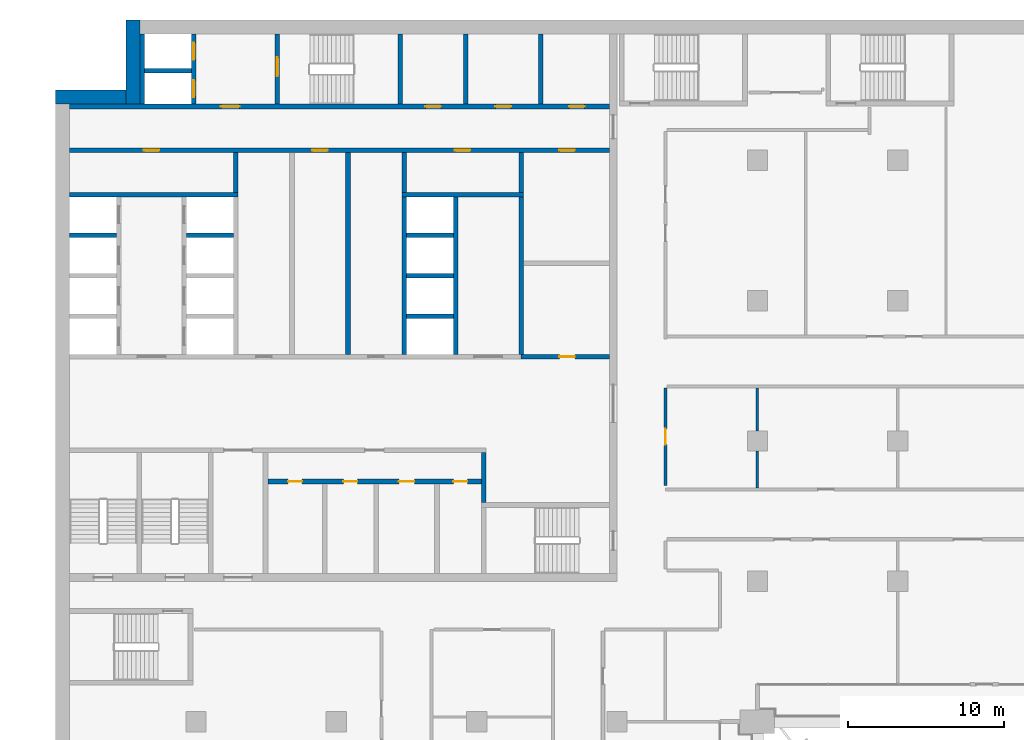
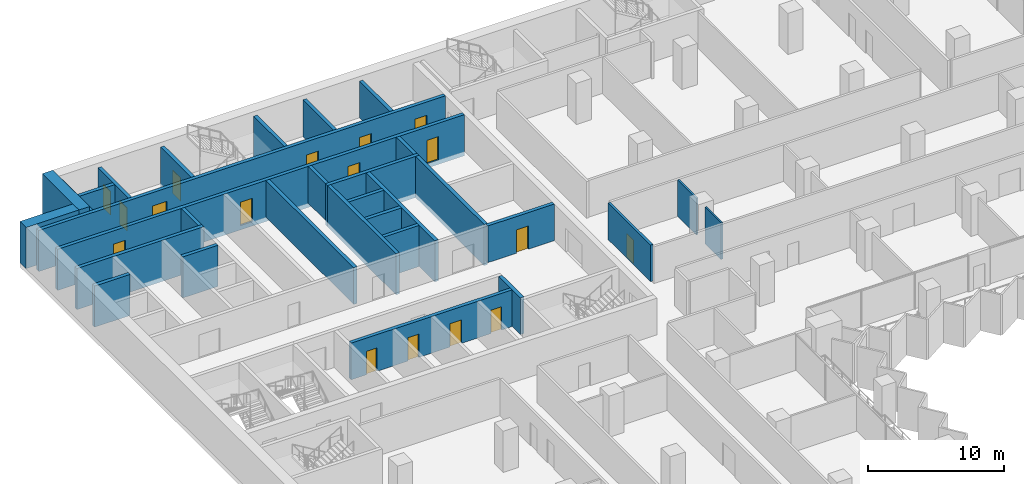
# One storey, part 13 of 23: 31 walls, 17 doors, 17 openings.
"""IFC4 building model written with IfcOpenShell, lengths in metres."""

from ifc_helpers import new_model, si_unit, direction, frame, frame_2d, origin, place, context, subcontext, project, spatial, rectangle, extrude, material, layer, layer_set, type_object, element, fill, save


model = new_model("IFC4")

# Units and contexts
model_context = context("Model", 3, precision=1e-05, world=origin(), true_north=direction((0.0, 1.0)))
body_context = subcontext(model_context, "Body", "Model", "MODEL_VIEW")
ifc_project = project(units=[si_unit("LENGTHUNIT", "METRE"), si_unit("AREAUNIT", "SQUARE_METRE"), si_unit("VOLUMEUNIT", "CUBIC_METRE"), si_unit("PLANEANGLEUNIT", "RADIAN"), si_unit("MASSUNIT", "GRAM", prefix="KILO")], contexts=[model_context])

# Site, building, storey
site_placement = place(None, origin())
site = spatial("IfcSite", under=ifc_project, at=site_placement, CompositionType="ELEMENT")
building_placement = place(site_placement, origin())
building = spatial("IfcBuilding", under=site, at=building_placement, Name="Hunhe Ridgeline Campus", CompositionType="ELEMENT")
storey_placement = place(building_placement, frame((0.0, 0.0, 95.89990234375)))
storey = spatial("IfcBuildingStorey", under=building, at=storey_placement, Name="L23", CompositionType="ELEMENT", Elevation=95.89990234375)

# Wall, openings, doors
ifc_material_1 = material(Name="Masonry concrete blockwork", Category="masonry")
ifc_layer_1 = layer(ifc_material_1, 0.300048828125)
ifc_layer_set_1 = layer_set([ifc_layer_1], Name="Core room partition 300 concrete block")
wall_type_1 = type_object("IfcWallType", Name="Core room partition 300 concrete block", PredefinedType="PARTITIONING", material=ifc_layer_set_1)
wall_1_placement = place(storey_placement, frame((13.60009765625, 69.39990234375, 0.0), z_axis=(0.0, 0.0, 1.0), x_axis=(1.0, 0.0, 0.0)))
wall_1 = element("IfcWall", 1, at=wall_1_placement, inside=storey, type_object=wall_type_1, Name="L23 core partition 9", PredefinedType="PARTITIONING", context=body_context, shape_type="SweptSolid", body=[
    extrude(rectangle(XDim=13.699951171875, YDim=0.300048828125, at=frame_2d((6.85009765625, 0.0))), origin(), (0.0, 0.0, 1.0), 3.300048828125),
])
opening_1_placement = place(wall_1_placement, frame((1.300048828125, 0.0, 0.0)))
opening_1 = element("IfcOpeningElement", 2, at=opening_1_placement, cuts=wall_1, Name="Opening CD8", PredefinedType="OPENING", context=body_context, shape_type="SweptSolid", body=[
    extrude(rectangle(XDim=0.89990234375, YDim=2.10009765625, at=frame_2d((0.449951171875, 1.050048828125))), frame((0.0, 0.14990234375, 0.0), z_axis=(0.0, -1.0, 0.0), x_axis=(1.0, 0.0, 0.0)), (0.0, 0.0, 1.0), 0.300048828125),
])
opening_2_placement = place(wall_1_placement, frame((4.85009765625, 0.0, 0.0)))
opening_2 = element("IfcOpeningElement", 3, at=opening_2_placement, cuts=wall_1, Name="Opening CD9", PredefinedType="OPENING", context=body_context, shape_type="SweptSolid", body=[
    extrude(rectangle(XDim=0.89990234375, YDim=2.10009765625, at=frame_2d((0.449951171875, 1.050048828125))), frame((0.0, 0.14990234375, 0.0), z_axis=(0.0, -1.0, 0.0), x_axis=(1.0, 0.0, 0.0)), (0.0, 0.0, 1.0), 0.300048828125),
])
opening_3_placement = place(wall_1_placement, frame((8.39990234375, 0.0, 0.0)))
opening_3 = element("IfcOpeningElement", 4, at=opening_3_placement, cuts=wall_1, Name="Opening CD10", PredefinedType="OPENING", context=body_context, shape_type="SweptSolid", body=[
    extrude(rectangle(XDim=1.0, YDim=2.10009765625, at=frame_2d((0.5, 1.050048828125))), frame((0.0, 0.14990234375, 0.0), z_axis=(0.0, -1.0, 0.0), x_axis=(1.0, 0.0, 0.0)), (0.0, 0.0, 1.0), 0.300048828125),
])
opening_4_placement = place(wall_1_placement, frame((11.89990234375, 0.0, 0.0)))
opening_4 = element("IfcOpeningElement", 5, at=opening_4_placement, cuts=wall_1, Name="Opening CD11", PredefinedType="OPENING", context=body_context, shape_type="SweptSolid", body=[
    extrude(rectangle(XDim=0.89990234375, YDim=2.10009765625, at=frame_2d((0.449951171875, 1.050048828125))), frame((0.0, 0.14990234375, 0.0), z_axis=(0.0, -1.0, 0.0), x_axis=(1.0, 0.0, 0.0)), (0.0, 0.0, 1.0), 0.300048828125),
])
ifc_material_2 = material(Name="Solid core timber door leaf", Category="wood")
door_type_1 = type_object("IfcDoorType", Name="Timber door 1000x2100", OperationType="SINGLE_SWING_LEFT", PredefinedType="DOOR", material=ifc_material_2)
door_1_placement = place(opening_3_placement, frame((1.0, 0.0, 0.0), z_axis=(0.0, 0.0, 1.0), x_axis=(-1.0, 0.0, 0.0)))
door_1 = element("IfcDoor", 6, at=door_1_placement, inside=storey, type_object=door_type_1, Name="L23 door WC3", OperationType="SINGLE_SWING_RIGHT", OverallHeight=2.10009765625, OverallWidth=1.0, PredefinedType="DOOR", context=body_context, shape_type="SweptSolid", body=[
    extrude(rectangle(XDim=1.0, YDim=2.10009765625, at=frame_2d((0.5, 1.050048828125))), frame((0.0, 0.02490234375, 0.0), z_axis=(0.0, -1.0, 0.0), x_axis=(1.0, 0.0, 0.0)), (0.0, 0.0, 1.0), 0.050048828125),
])
fill(opening_3, door_1)
door_type_2 = type_object("IfcDoorType", Name="Timber door 900x2100", OperationType="SINGLE_SWING_LEFT", PredefinedType="DOOR", material=ifc_material_2)
door_2_placement = place(opening_1_placement, frame((0.89990234375, 0.0, 0.0), z_axis=(0.0, 0.0, 1.0), x_axis=(-1.0, 0.0, 0.0)))
door_2 = element("IfcDoor", 7, at=door_2_placement, inside=storey, type_object=door_type_2, Name="L23 door WC1", OperationType="SINGLE_SWING_RIGHT", OverallHeight=2.10009765625, OverallWidth=0.89990234375, PredefinedType="DOOR", context=body_context, shape_type="SweptSolid", body=[
    extrude(rectangle(XDim=0.89990234375, YDim=2.10009765625, at=frame_2d((0.449951171875, 1.050048828125))), frame((0.0, 0.02490234375, 0.0), z_axis=(0.0, -1.0, 0.0), x_axis=(1.0, 0.0, 0.0)), (0.0, 0.0, 1.0), 0.050048828125),
])
fill(opening_1, door_2)
door_3_placement = place(opening_2_placement, frame((0.89990234375, 0.0, 0.0), z_axis=(0.0, 0.0, 1.0), x_axis=(-1.0, 0.0, 0.0)))
door_3 = element("IfcDoor", 8, at=door_3_placement, inside=storey, type_object=door_type_2, Name="L23 door WC2", OperationType="SINGLE_SWING_LEFT", OverallHeight=2.10009765625, OverallWidth=0.89990234375, PredefinedType="DOOR", context=body_context, shape_type="SweptSolid", body=[
    extrude(rectangle(XDim=0.89990234375, YDim=2.10009765625, at=frame_2d((0.449951171875, 1.050048828125))), frame((0.0, 0.02490234375, 0.0), z_axis=(0.0, -1.0, 0.0), x_axis=(1.0, 0.0, 0.0)), (0.0, 0.0, 1.0), 0.050048828125),
])
fill(opening_2, door_3)
door_4_placement = place(opening_4_placement, frame((0.89990234375, 0.0, 0.0), z_axis=(0.0, 0.0, 1.0), x_axis=(-1.0, 0.0, 0.0)))
door_4 = element("IfcDoor", 9, at=door_4_placement, inside=storey, type_object=door_type_2, Name="L23 door WC4", OperationType="SINGLE_SWING_LEFT", OverallHeight=2.10009765625, OverallWidth=0.89990234375, PredefinedType="DOOR", context=body_context, shape_type="SweptSolid", body=[
    extrude(rectangle(XDim=0.89990234375, YDim=2.10009765625, at=frame_2d((0.449951171875, 1.050048828125))), frame((0.0, 0.02490234375, 0.0), z_axis=(0.0, -1.0, 0.0), x_axis=(1.0, 0.0, 0.0)), (0.0, 0.0, 1.0), 0.050048828125),
])
fill(opening_4, door_4)

# Wall, opening, door
wall_2_placement = place(storey_placement, frame((29.85009765625, 77.39990234375, 0.0), z_axis=(0.0, 0.0, 1.0), x_axis=(1.0, 0.0, 0.0)))
wall_2 = element("IfcWall", 10, at=wall_2_placement, inside=storey, type_object=wall_type_1, Name="L23 core partition 13", PredefinedType="PARTITIONING", context=body_context, shape_type="SweptSolid", body=[
    extrude(rectangle(XDim=5.64990234375, YDim=0.300048828125, at=frame_2d((2.824951171875, 0.0))), origin(), (0.0, 0.0, 1.0), 3.300048828125),
])
opening_5_placement = place(wall_2_placement, frame((2.449951171875, 0.0, 0.0)))
opening_5 = element("IfcOpeningElement", 11, at=opening_5_placement, cuts=wall_2, Name="Opening CD32", PredefinedType="OPENING", context=body_context, shape_type="SweptSolid", body=[
    extrude(rectangle(XDim=1.0, YDim=2.10009765625, at=frame_2d((0.5, 1.050048828125))), frame((0.0, 0.14990234375, 0.0), z_axis=(0.0, -1.0, 0.0), x_axis=(1.0, 0.0, 0.0)), (0.0, 0.0, 1.0), 0.300048828125),
])
door_5_placement = place(opening_5_placement, origin())
door_5 = element("IfcDoor", 12, at=door_5_placement, inside=storey, type_object=door_type_1, Name="L23 door ES0", OperationType="SINGLE_SWING_LEFT", OverallHeight=2.10009765625, OverallWidth=1.0, PredefinedType="DOOR", context=body_context, shape_type="SweptSolid", body=[
    extrude(rectangle(XDim=1.0, YDim=2.10009765625, at=frame_2d((0.5, 1.050048828125))), frame((0.0, 0.02490234375, 0.0), z_axis=(0.0, -1.0, 0.0), x_axis=(1.0, 0.0, 0.0)), (0.0, 0.0, 1.0), 0.050048828125),
])
fill(opening_5, door_5)

# Walls
wall_3_placement = place(storey_placement, frame((11.550048828125, 87.949951171875, 0.0), z_axis=(0.0, 0.0, 1.0), x_axis=(0.0, 1.0, 0.0)))
element("IfcWall", 13, at=wall_3_placement, inside=storey, type_object=wall_type_1, Name="L23 core partition 41", PredefinedType="PARTITIONING", context=body_context, shape_type="SweptSolid", body=[
    extrude(rectangle(XDim=2.550048828125, YDim=0.300048828125, at=frame_2d((1.27490234375, 0.0))), origin(), (0.0, 0.0, 1.0), 3.300048828125),
])
wall_4_placement = place(storey_placement, frame((18.75, 77.550048828125, 0.0), z_axis=(0.0, 0.0, 1.0), x_axis=(0.0, 1.0, 0.0)))
element("IfcWall", 14, at=wall_4_placement, inside=storey, type_object=wall_type_1, Name="L23 core partition 46", PredefinedType="PARTITIONING", context=body_context, shape_type="SweptSolid", body=[
    extrude(rectangle(XDim=12.949951171875, YDim=0.300048828125, at=frame_2d((6.47509765625, 0.0))), origin(), (0.0, 0.0, 1.0), 3.300048828125),
])
wall_5_placement = place(storey_placement, frame((22.35009765625, 87.949951171875, 0.0), z_axis=(0.0, 0.0, 1.0), x_axis=(0.0, 1.0, 0.0)))
element("IfcWall", 15, at=wall_5_placement, inside=storey, type_object=wall_type_1, Name="L23 core partition 51", PredefinedType="PARTITIONING", context=body_context, shape_type="SweptSolid", body=[
    extrude(rectangle(XDim=2.550048828125, YDim=0.300048828125, at=frame_2d((1.27490234375, 0.0))), origin(), (0.0, 0.0, 1.0), 3.300048828125),
])
wall_6_placement = place(storey_placement, frame((26.300048828125, 93.60009765625, 0.0), z_axis=(0.0, 0.0, 1.0), x_axis=(0.0, 1.0, 0.0)))
element("IfcWall", 16, at=wall_6_placement, inside=storey, type_object=wall_type_1, Name="L23 core partition 55", PredefinedType="PARTITIONING", context=body_context, shape_type="SweptSolid", body=[
    extrude(rectangle(XDim=4.5, YDim=0.300048828125, at=frame_2d((2.25, 0.0))), origin(), (0.0, 0.0, 1.0), 3.300048828125),
])
wall_7_placement = place(storey_placement, frame((27.449951171875, 68.050048828125, 0.0), z_axis=(0.0, 0.0, 1.0), x_axis=(0.0, 1.0, 0.0)))
element("IfcWall", 17, at=wall_7_placement, inside=storey, type_object=wall_type_1, Name="L23 core partition 57", PredefinedType="PARTITIONING", context=body_context, shape_type="SweptSolid", body=[
    extrude(rectangle(XDim=3.199951171875, YDim=0.300048828125, at=frame_2d((1.60009765625, 0.0))), origin(), (0.0, 0.0, 1.0), 3.300048828125),
])
wall_8_placement = place(storey_placement, frame((29.85009765625, 87.949951171875, 0.0), z_axis=(0.0, 0.0, 1.0), x_axis=(0.0, 1.0, 0.0)))
element("IfcWall", 18, at=wall_8_placement, inside=storey, type_object=wall_type_1, Name="L23 core partition 59", PredefinedType="PARTITIONING", context=body_context, shape_type="SweptSolid", body=[
    extrude(rectangle(XDim=2.550048828125, YDim=0.300048828125, at=frame_2d((1.27490234375, 0.0))), origin(), (0.0, 0.0, 1.0), 3.300048828125),
])
wall_9_placement = place(storey_placement, frame((31.10009765625, 93.60009765625, 0.0), z_axis=(0.0, 0.0, 1.0), x_axis=(0.0, 1.0, 0.0)))
element("IfcWall", 19, at=wall_9_placement, inside=storey, type_object=wall_type_1, Name="L23 core partition 60", PredefinedType="PARTITIONING", context=body_context, shape_type="SweptSolid", body=[
    extrude(rectangle(XDim=4.5, YDim=0.300048828125, at=frame_2d((2.25, 0.0))), origin(), (0.0, 0.0, 1.0), 3.300048828125),
])

# Wall, opening, door
ifc_material_3 = material(Name="Gypsum board partition")
ifc_layer_2 = layer(ifc_material_3, 0.199951171875)
ifc_layer_set_2 = layer_set([ifc_layer_2], Name="Corridor partition 200 gypsum board on steel studs")
wall_type_2 = type_object("IfcWallType", Name="Corridor partition 200 gypsum board on steel studs", PredefinedType="PARTITIONING", material=ifc_layer_set_2)
wall_10_placement = place(storey_placement, frame((39.10009765625, 75.39990234375, 0.0), z_axis=(0.0, 0.0, 1.0), x_axis=(0.0, -1.0, 0.0)))
wall_10 = element("IfcWall", 20, at=wall_10_placement, inside=storey, type_object=wall_type_2, Name="F-L23-wall-053", PredefinedType="PARTITIONING", context=body_context, shape_type="SweptSolid", body=[
    extrude(rectangle(XDim=6.255615234375, YDim=0.199951171875, at=frame_2d((3.1279296875, 0.0))), origin(), (0.0, 0.0, 1.0), 3.300048828125),
])
opening_6_placement = place(wall_10_placement, frame((2.6279296875, 0.0, 0.0)))
opening_6 = element("IfcOpeningElement", 21, at=opening_6_placement, cuts=wall_10, Name="Opening RD1-028", PredefinedType="OPENING", context=body_context, shape_type="SweptSolid", body=[
    extrude(rectangle(XDim=1.0, YDim=2.10009765625, at=frame_2d((0.5, 1.050048828125))), frame((0.0, 0.10009765625, 0.0), z_axis=(0.0, -1.0, 0.0), x_axis=(1.0, 0.0, 0.0)), (0.0, 0.0, 1.0), 0.199951171875),
])
ifc_material_4 = material(Name="Timber door leaf", Category="wood")
door_type_3 = type_object("IfcDoorType", Name="Single fire door 1000x2100 timber FD60", OperationType="NOTDEFINED", PredefinedType="DOOR", material=ifc_material_4)
door_6_placement = place(opening_6_placement, origin())
door_6 = element("IfcDoor", 22, at=door_6_placement, inside=storey, type_object=door_type_3, Name="F-L23-door-028", OperationType="SINGLE_SWING_RIGHT", OverallHeight=2.10009765625, OverallWidth=1.0, PredefinedType="DOOR", context=body_context, shape_type="SweptSolid", body=[
    extrude(rectangle(XDim=1.0, YDim=2.10009765625, at=frame_2d((0.5, 1.050048828125))), frame((0.0, 0.02490234375, 0.0), z_axis=(0.0, -1.0, 0.0), x_axis=(1.0, 0.0, 0.0)), (0.0, 0.0, 1.0), 0.050048828125),
])
fill(opening_6, door_6)

# Wall, openings, doors
ifc_material_5 = material(Name="Concrete C80", Category="concrete")
ifc_layer_3 = layer(ifc_material_5, 0.300048828125)
ifc_layer_set_3 = layer_set([ifc_layer_3], Name="Lobby wall 300 reinforced concrete C80")
wall_type_3 = type_object("IfcWallType", Name="Lobby wall 300 reinforced concrete C80", PredefinedType="SOLIDWALL", material=ifc_layer_set_3)
wall_11_placement = place(storey_placement, frame((0.89990234375, 90.64990234375, -0.39990234375), z_axis=(0.0, 0.0, 1.0), x_axis=(1.0, 0.0, 0.0)))
wall_11 = element("IfcWall", 23, at=wall_11_placement, inside=storey, type_object=wall_type_3, Name="L23 core wall 26", PredefinedType="SOLIDWALL", context=body_context, shape_type="SweptSolid", body=[
    extrude(rectangle(XDim=34.60009765625, YDim=0.300048828125, at=frame_2d((17.300048828125, 0.0))), origin(), (0.0, 0.0, 1.0), 3.699951171875),
])
opening_7_placement = place(wall_11_placement, frame((4.75, 0.0, 0.39990234375)))
opening_7 = element("IfcOpeningElement", 24, at=opening_7_placement, cuts=wall_11, Name="Opening CD26", PredefinedType="OPENING", context=body_context, shape_type="SweptSolid", body=[
    extrude(rectangle(XDim=1.0, YDim=2.10009765625, at=frame_2d((0.5, 1.050048828125))), frame((0.0, 0.14990234375, 0.0), z_axis=(0.0, -1.0, 0.0), x_axis=(1.0, 0.0, 0.0)), (0.0, 0.0, 1.0), 0.300048828125),
])
opening_8_placement = place(wall_11_placement, frame((24.699951171875, 0.0, 0.39990234375)))
opening_8 = element("IfcOpeningElement", 25, at=opening_8_placement, cuts=wall_11, Name="Opening CD27", PredefinedType="OPENING", context=body_context, shape_type="SweptSolid", body=[
    extrude(rectangle(XDim=1.0, YDim=2.10009765625, at=frame_2d((0.5, 1.050048828125))), frame((0.0, 0.14990234375, 0.0), z_axis=(0.0, -1.0, 0.0), x_axis=(1.0, 0.0, 0.0)), (0.0, 0.0, 1.0), 0.300048828125),
])
opening_9_placement = place(wall_11_placement, frame((15.550048828125, 0.0, 0.39990234375)))
opening_9 = element("IfcOpeningElement", 26, at=opening_9_placement, cuts=wall_11, Name="Opening CD29", PredefinedType="OPENING", context=body_context, shape_type="SweptSolid", body=[
    extrude(rectangle(XDim=1.0, YDim=2.10009765625, at=frame_2d((0.5, 1.050048828125))), frame((0.0, 0.14990234375, 0.0), z_axis=(0.0, -1.0, 0.0), x_axis=(1.0, 0.0, 0.0)), (0.0, 0.0, 1.0), 0.300048828125),
])
opening_10_placement = place(wall_11_placement, frame((31.39990234375, 0.0, 0.39990234375)))
opening_10 = element("IfcOpeningElement", 27, at=opening_10_placement, cuts=wall_11, Name="Opening CD33", PredefinedType="OPENING", context=body_context, shape_type="SweptSolid", body=[
    extrude(rectangle(XDim=1.0, YDim=2.10009765625, at=frame_2d((0.5, 1.050048828125))), frame((0.0, 0.14990234375, 0.0), z_axis=(0.0, -1.0, 0.0), x_axis=(1.0, 0.0, 0.0)), (0.0, 0.0, 1.0), 0.300048828125),
])
door_7_placement = place(opening_7_placement, frame((1.0, 0.0, 0.0), z_axis=(0.0, 0.0, 1.0), x_axis=(-1.0, 0.0, 0.0)))
door_7 = element("IfcDoor", 28, at=door_7_placement, inside=storey, type_object=door_type_1, Name="L23 door NR-0", OperationType="SINGLE_SWING_RIGHT", OverallHeight=2.10009765625, OverallWidth=1.0, PredefinedType="DOOR", context=body_context, shape_type="SweptSolid", body=[
    extrude(rectangle(XDim=1.0, YDim=2.10009765625, at=frame_2d((0.5, 1.050048828125))), frame((0.0, 0.02490234375, 0.0), z_axis=(0.0, -1.0, 0.0), x_axis=(1.0, 0.0, 0.0)), (0.0, 0.0, 1.0), 0.050048828125),
])
fill(opening_7, door_7)
door_8_placement = place(opening_8_placement, frame((1.0, 0.0, 0.0), z_axis=(0.0, 0.0, 1.0), x_axis=(-1.0, 0.0, 0.0)))
door_8 = element("IfcDoor", 29, at=door_8_placement, inside=storey, type_object=door_type_1, Name="L23 door NR-1", OperationType="SINGLE_SWING_LEFT", OverallHeight=2.10009765625, OverallWidth=1.0, PredefinedType="DOOR", context=body_context, shape_type="SweptSolid", body=[
    extrude(rectangle(XDim=1.0, YDim=2.10009765625, at=frame_2d((0.5, 1.050048828125))), frame((0.0, 0.02490234375, 0.0), z_axis=(0.0, -1.0, 0.0), x_axis=(1.0, 0.0, 0.0)), (0.0, 0.0, 1.0), 0.050048828125),
])
fill(opening_8, door_8)
door_9_placement = place(opening_9_placement, frame((1.0, 0.0, 0.0), z_axis=(0.0, 0.0, 1.0), x_axis=(-1.0, 0.0, 0.0)))
door_9 = element("IfcDoor", 30, at=door_9_placement, inside=storey, type_object=door_type_1, Name="L23 door VD-HR1", OperationType="SINGLE_SWING_LEFT", OverallHeight=2.10009765625, OverallWidth=1.0, PredefinedType="DOOR", context=body_context, shape_type="SweptSolid", body=[
    extrude(rectangle(XDim=1.0, YDim=2.10009765625, at=frame_2d((0.5, 1.050048828125))), frame((0.0, 0.02490234375, 0.0), z_axis=(0.0, -1.0, 0.0), x_axis=(1.0, 0.0, 0.0)), (0.0, 0.0, 1.0), 0.050048828125),
])
fill(opening_9, door_9)
door_10_placement = place(opening_10_placement, frame((1.0, 0.0, 0.0), z_axis=(0.0, 0.0, 1.0), x_axis=(-1.0, 0.0, 0.0)))
door_10 = element("IfcDoor", 31, at=door_10_placement, inside=storey, type_object=door_type_1, Name="L23 door ES1", OperationType="SINGLE_SWING_LEFT", OverallHeight=2.10009765625, OverallWidth=1.0, PredefinedType="DOOR", context=body_context, shape_type="SweptSolid", body=[
    extrude(rectangle(XDim=1.0, YDim=2.10009765625, at=frame_2d((0.5, 1.050048828125))), frame((0.0, 0.02490234375, 0.0), z_axis=(0.0, -1.0, 0.0), x_axis=(1.0, 0.0, 0.0)), (0.0, 0.0, 1.0), 0.050048828125),
])
fill(opening_10, door_10)

# Walls
wall_12_placement = place(storey_placement, frame((29.85009765625, 77.550048828125, -0.39990234375), z_axis=(0.0, 0.0, 1.0), x_axis=(0.0, 1.0, 0.0)))
element("IfcWall", 32, at=wall_12_placement, inside=storey, type_object=wall_type_3, Name="L23 core wall 58", PredefinedType="SOLIDWALL", context=body_context, shape_type="SweptSolid", body=[
    extrude(rectangle(XDim=10.099853515625, YDim=0.300048828125, at=frame_2d((5.0498046875, 0.0))), origin(), (0.0, 0.0, 1.0), 3.699951171875),
])
ifc_layer_4 = layer(ifc_material_3, 0.14990234375)
ifc_layer_set_4 = layer_set([ifc_layer_4], Name="Room partition 150 gypsum board on steel studs")
wall_type_4 = type_object("IfcWallType", Name="Room partition 150 gypsum board on steel studs", PredefinedType="PARTITIONING", material=ifc_layer_set_4)
wall_13_placement = place(storey_placement, frame((45.0, 71.35009765625, 0.0), z_axis=(0.0, 0.0, 1.0), x_axis=(0.0, -1.0, 0.0)))
element("IfcWall", 33, at=wall_13_placement, inside=storey, type_object=wall_type_4, Name="F-L23-wall-056", PredefinedType="PARTITIONING", context=body_context, shape_type="SweptSolid", body=[
    extrude(rectangle(XDim=2.35009765625, YDim=0.14990234375, at=frame_2d((1.175048828125, 0.0))), origin(), (0.0, 0.0, 1.0), 3.300048828125),
])
wall_14_placement = place(storey_placement, frame((45.0, 75.39990234375, 0.0), z_axis=(0.0, 0.0, 1.0), x_axis=(0.0, -1.0, 0.0)))
element("IfcWall", 34, at=wall_14_placement, inside=storey, type_object=wall_type_4, Name="F-L23-wall-057", PredefinedType="PARTITIONING", context=body_context, shape_type="SweptSolid", body=[
    extrude(rectangle(XDim=2.75, YDim=0.14990234375, at=frame_2d((1.375, 0.0))), origin(), (0.0, 0.0, 1.0), 3.300048828125),
])
ifc_layer_5 = layer(ifc_material_5, 0.300048828125)
ifc_layer_set_5 = layer_set([ifc_layer_5], Name="Shaft wall 300 reinforced concrete C80")
wall_type_5 = type_object("IfcWallType", Name="Shaft wall 300 reinforced concrete C80", PredefinedType="SOLIDWALL", material=ifc_layer_set_5)
for number, where, z_axis, x_axis, name in (
    (35, (22.5, 80.0, -0.39990234375), (0.0, 0.0, 1.0), (1.0, 0.0, 0.0), "L23 core wall 16"),
    (36, (22.5, 82.60009765625, -0.39990234375), (0.0, 0.0, 1.0), (1.0, 0.0, 0.0), "L23 core wall 19"),
    (37, (0.89990234375, 85.199951171875, -0.39990234375), (0.0, 0.0, 1.0), (1.0, 0.0, 0.0), "L23 core wall 21"),
    (38, (8.39990234375, 85.199951171875, -0.39990234375), (0.0, 0.0, 1.0), (1.0, 0.0, 0.0), "L23 core wall 22"),
    (39, (22.5, 85.199951171875, -0.39990234375), (0.0, 0.0, 1.0), (1.0, 0.0, 0.0), "L23 core wall 23"),
):
    element("IfcWall", number, at=place(storey_placement, frame(where, z_axis=z_axis, x_axis=x_axis)), inside=storey, type_object=wall_type_5, Name=name, PredefinedType="SOLIDWALL", context=body_context, shape_type="SweptSolid", body=[
        extrude(rectangle(XDim=3.0, YDim=0.300048828125, at=frame_2d((1.5, 0.0))), origin(), (0.0, 0.0, 1.0), 3.699951171875),
    ])
wall_15_placement = place(storey_placement, frame((0.89990234375, 87.800048828125, -0.39990234375), z_axis=(0.0, 0.0, 1.0), x_axis=(1.0, 0.0, 0.0)))
element("IfcWall", 40, at=wall_15_placement, inside=storey, type_object=wall_type_5, Name="L23 core wall 24", PredefinedType="SOLIDWALL", context=body_context, shape_type="SweptSolid", body=[
    extrude(rectangle(XDim=10.800048828125, YDim=0.300048828125, at=frame_2d((5.39990234375, 0.0))), origin(), (0.0, 0.0, 1.0), 3.699951171875),
])
wall_16_placement = place(storey_placement, frame((22.199951171875, 87.800048828125, -0.39990234375), z_axis=(0.0, 0.0, 1.0), x_axis=(1.0, 0.0, 0.0)))
element("IfcWall", 41, at=wall_16_placement, inside=storey, type_object=wall_type_5, Name="L23 core wall 25", PredefinedType="SOLIDWALL", context=body_context, shape_type="SweptSolid", body=[
    extrude(rectangle(XDim=7.800048828125, YDim=0.300048828125, at=frame_2d((3.89990234375, 0.0))), origin(), (0.0, 0.0, 1.0), 3.699951171875),
])

# Wall, openings, doors
wall_17_placement = place(storey_placement, frame((0.89990234375, 93.449951171875, -0.39990234375), z_axis=(0.0, 0.0, 1.0), x_axis=(1.0, 0.0, 0.0)))
wall_17 = element("IfcWall", 42, at=wall_17_placement, inside=storey, type_object=wall_type_5, Name="L23 core wall 27", PredefinedType="SOLIDWALL", context=body_context, shape_type="SweptSolid", body=[
    extrude(rectangle(XDim=34.60009765625, YDim=0.300048828125, at=frame_2d((17.300048828125, 0.0))), origin(), (0.0, 0.0, 1.0), 3.699951171875),
])
opening_11_placement = place(wall_17_placement, frame((9.699951171875, 0.0, 0.39990234375)))
opening_11 = element("IfcOpeningElement", 43, at=opening_11_placement, cuts=wall_17, Name="Opening CD3", PredefinedType="OPENING", context=body_context, shape_type="SweptSolid", body=[
    extrude(rectangle(XDim=1.199951171875, YDim=2.10009765625, at=frame_2d((0.60009765625, 1.050048828125))), frame((0.0, 0.14990234375, 0.0), z_axis=(0.0, -1.0, 0.0), x_axis=(1.0, 0.0, 0.0)), (0.0, 0.0, 1.0), 0.300048828125),
])
opening_12_placement = place(wall_17_placement, frame((22.800048828125, 0.0, 0.39990234375)))
opening_12 = element("IfcOpeningElement", 44, at=opening_12_placement, cuts=wall_17, Name="Opening CD34", PredefinedType="OPENING", context=body_context, shape_type="SweptSolid", body=[
    extrude(rectangle(XDim=1.0, YDim=2.10009765625, at=frame_2d((0.5, 1.050048828125))), frame((0.0, 0.14990234375, 0.0), z_axis=(0.0, -1.0, 0.0), x_axis=(1.0, 0.0, 0.0)), (0.0, 0.0, 1.0), 0.300048828125),
])
opening_13_placement = place(wall_17_placement, frame((27.300048828125, 0.0, 0.39990234375)))
opening_13 = element("IfcOpeningElement", 45, at=opening_13_placement, cuts=wall_17, Name="Opening CD35", PredefinedType="OPENING", context=body_context, shape_type="SweptSolid", body=[
    extrude(rectangle(XDim=1.0, YDim=2.10009765625, at=frame_2d((0.5, 1.050048828125))), frame((0.0, 0.14990234375, 0.0), z_axis=(0.0, -1.0, 0.0), x_axis=(1.0, 0.0, 0.0)), (0.0, 0.0, 1.0), 0.300048828125),
])
opening_14_placement = place(wall_17_placement, frame((32.02490234375, 0.0, 0.39990234375)))
opening_14 = element("IfcOpeningElement", 46, at=opening_14_placement, cuts=wall_17, Name="Opening CD36", PredefinedType="OPENING", context=body_context, shape_type="SweptSolid", body=[
    extrude(rectangle(XDim=1.0, YDim=2.10009765625, at=frame_2d((0.5, 1.050048828125))), frame((0.0, 0.14990234375, 0.0), z_axis=(0.0, -1.0, 0.0), x_axis=(1.0, 0.0, 0.0)), (0.0, 0.0, 1.0), 0.300048828125),
])
ifc_material_6 = material(Name="Hollow metal fire door leaf")
door_type_4 = type_object("IfcDoorType", Name="Lobby door 1200x2100 FD60", OperationType="SINGLE_SWING_LEFT", PredefinedType="DOOR", material=ifc_material_6)
door_11_placement = place(opening_11_placement, frame((1.199951171875, 0.0, 0.0), z_axis=(0.0, 0.0, 1.0), x_axis=(-1.0, 0.0, 0.0)))
door_11 = element("IfcDoor", 47, at=door_11_placement, inside=storey, type_object=door_type_4, Name="L23 door FF-C1", OperationType="SINGLE_SWING_LEFT", OverallHeight=2.10009765625, OverallWidth=1.199951171875, PredefinedType="DOOR", context=body_context, shape_type="SweptSolid", body=[
    extrude(rectangle(XDim=1.199951171875, YDim=2.10009765625, at=frame_2d((0.60009765625, 1.050048828125))), frame((0.0, 0.02490234375, 0.0), z_axis=(0.0, -1.0, 0.0), x_axis=(1.0, 0.0, 0.0)), (0.0, 0.0, 1.0), 0.050048828125),
])
fill(opening_11, door_11)
door_12_placement = place(opening_12_placement, origin())
door_12 = element("IfcDoor", 48, at=door_12_placement, inside=storey, type_object=door_type_1, Name="L23 door NB0", OperationType="SINGLE_SWING_LEFT", OverallHeight=2.10009765625, OverallWidth=1.0, PredefinedType="DOOR", context=body_context, shape_type="SweptSolid", body=[
    extrude(rectangle(XDim=1.0, YDim=2.10009765625, at=frame_2d((0.5, 1.050048828125))), frame((0.0, 0.02490234375, 0.0), z_axis=(0.0, -1.0, 0.0), x_axis=(1.0, 0.0, 0.0)), (0.0, 0.0, 1.0), 0.050048828125),
])
fill(opening_12, door_12)
door_13_placement = place(opening_13_placement, origin())
door_13 = element("IfcDoor", 49, at=door_13_placement, inside=storey, type_object=door_type_1, Name="L23 door NB1", OperationType="SINGLE_SWING_RIGHT", OverallHeight=2.10009765625, OverallWidth=1.0, PredefinedType="DOOR", context=body_context, shape_type="SweptSolid", body=[
    extrude(rectangle(XDim=1.0, YDim=2.10009765625, at=frame_2d((0.5, 1.050048828125))), frame((0.0, 0.02490234375, 0.0), z_axis=(0.0, -1.0, 0.0), x_axis=(1.0, 0.0, 0.0)), (0.0, 0.0, 1.0), 0.050048828125),
])
fill(opening_13, door_13)
door_14_placement = place(opening_14_placement, origin())
door_14 = element("IfcDoor", 50, at=door_14_placement, inside=storey, type_object=door_type_1, Name="L23 door NB2", OperationType="SINGLE_SWING_LEFT", OverallHeight=2.10009765625, OverallWidth=1.0, PredefinedType="DOOR", context=body_context, shape_type="SweptSolid", body=[
    extrude(rectangle(XDim=1.0, YDim=2.10009765625, at=frame_2d((0.5, 1.050048828125))), frame((0.0, 0.02490234375, 0.0), z_axis=(0.0, -1.0, 0.0), x_axis=(1.0, 0.0, 0.0)), (0.0, 0.0, 1.0), 0.050048828125),
])
fill(opening_14, door_14)

# Walls
wall_18_placement = place(storey_placement, frame((5.699951171875, 95.75, -0.39990234375), z_axis=(0.0, 0.0, 1.0), x_axis=(1.0, 0.0, 0.0)))
element("IfcWall", 51, at=wall_18_placement, inside=storey, type_object=wall_type_5, Name="L23 core wall 31", PredefinedType="SOLIDWALL", context=body_context, shape_type="SweptSolid", body=[
    extrude(rectangle(XDim=3.0, YDim=0.300048828125, at=frame_2d((1.5, 0.0))), origin(), (0.0, 0.0, 1.0), 3.699951171875),
])
wall_19_placement = place(storey_placement, frame((5.550048828125, 93.60009765625, -0.39990234375), z_axis=(0.0, 0.0, 1.0), x_axis=(0.0, 1.0, 0.0)))
element("IfcWall", 52, at=wall_19_placement, inside=storey, type_object=wall_type_5, Name="L23 core wall 34", PredefinedType="SOLIDWALL", context=body_context, shape_type="SweptSolid", body=[
    extrude(rectangle(XDim=4.5, YDim=0.300048828125, at=frame_2d((2.25, 0.0))), origin(), (0.0, 0.0, 1.0), 3.699951171875),
])

# Wall, openings, doors
wall_20_placement = place(storey_placement, frame((8.85009765625, 93.60009765625, -0.39990234375), z_axis=(0.0, 0.0, 1.0), x_axis=(0.0, 1.0, 0.0)))
wall_20 = element("IfcWall", 53, at=wall_20_placement, inside=storey, type_object=wall_type_5, Name="L23 core wall 38", PredefinedType="SOLIDWALL", context=body_context, shape_type="SweptSolid", body=[
    extrude(rectangle(XDim=4.5, YDim=0.300048828125, at=frame_2d((2.25, 0.0))), origin(), (0.0, 0.0, 1.0), 3.699951171875),
])
opening_15_placement = place(wall_20_placement, frame((0.449951171875, 0.0, 0.39990234375)))
opening_15 = element("IfcOpeningElement", 54, at=opening_15_placement, cuts=wall_20, Name="Opening LD-FF1", PredefinedType="OPENING", context=body_context, shape_type="SweptSolid", body=[
    extrude(rectangle(XDim=1.10009765625, YDim=2.10009765625, at=frame_2d((0.550048828125, 1.050048828125))), frame((0.0, 0.14990234375, 0.0), z_axis=(0.0, -1.0, 0.0), x_axis=(1.0, 0.0, 0.0)), (0.0, 0.0, 1.0), 0.300048828125),
])
opening_16_placement = place(wall_20_placement, frame((2.85009765625, 0.0, 0.39990234375)))
opening_16 = element("IfcOpeningElement", 55, at=opening_16_placement, cuts=wall_20, Name="Opening LD-FF2", PredefinedType="OPENING", context=body_context, shape_type="SweptSolid", body=[
    extrude(rectangle(XDim=1.10009765625, YDim=2.10009765625, at=frame_2d((0.550048828125, 1.050048828125))), frame((0.0, 0.14990234375, 0.0), z_axis=(0.0, -1.0, 0.0), x_axis=(1.0, 0.0, 0.0)), (0.0, 0.0, 1.0), 0.300048828125),
])
ifc_material_7 = material(Name="Stainless steel sliding leaves", Category="steel")
door_type_5 = type_object("IfcDoorType", Name="Landing door 1100x2100 FD120", OperationType="SLIDING_TO_LEFT", PredefinedType="DOOR", material=ifc_material_7)
door_15_placement = place(opening_15_placement, origin())
door_15 = element("IfcDoor", 56, at=door_15_placement, inside=storey, type_object=door_type_5, Name="L23 landing door FF1", OperationType="SLIDING_TO_RIGHT", OverallHeight=2.10009765625, OverallWidth=1.10009765625, PredefinedType="DOOR", context=body_context, shape_type="SweptSolid", body=[
    extrude(rectangle(XDim=1.10009765625, YDim=2.10009765625, at=frame_2d((0.550048828125, 1.050048828125))), frame((0.0, 0.02490234375, 0.0), z_axis=(0.0, -1.0, 0.0), x_axis=(1.0, 0.0, 0.0)), (0.0, 0.0, 1.0), 0.050048828125),
])
fill(opening_15, door_15)
door_16_placement = place(opening_16_placement, origin())
door_16 = element("IfcDoor", 57, at=door_16_placement, inside=storey, type_object=door_type_5, Name="L23 landing door FF2", OperationType="SLIDING_TO_LEFT", OverallHeight=2.10009765625, OverallWidth=1.10009765625, PredefinedType="DOOR", context=body_context, shape_type="SweptSolid", body=[
    extrude(rectangle(XDim=1.10009765625, YDim=2.10009765625, at=frame_2d((0.550048828125, 1.050048828125))), frame((0.0, 0.02490234375, 0.0), z_axis=(0.0, -1.0, 0.0), x_axis=(1.0, 0.0, 0.0)), (0.0, 0.0, 1.0), 0.050048828125),
])
fill(opening_16, door_16)

# Walls
for number, where, z_axis, x_axis, name in (
    (58, (22.35009765625, 77.550048828125, -0.39990234375), (0.0, 0.0, 1.0), (0.0, 1.0, 0.0), "L23 core wall 50"),
    (59, (25.64990234375, 77.550048828125, -0.39990234375), (0.0, 0.0, 1.0), (0.0, 1.0, 0.0), "L23 core wall 54"),
):
    element("IfcWall", number, at=place(storey_placement, frame(where, z_axis=z_axis, x_axis=x_axis)), inside=storey, type_object=wall_type_5, Name=name, PredefinedType="SOLIDWALL", context=body_context, shape_type="SweptSolid", body=[
        extrude(rectangle(XDim=10.099853515625, YDim=0.300048828125, at=frame_2d((5.0498046875, 0.0))), origin(), (0.0, 0.0, 1.0), 3.699951171875),
    ])
ifc_material_8 = material(Name="Concrete C70", Category="concrete")
ifc_layer_6 = layer(ifc_material_8, 0.89990234375)
ifc_layer_set_6 = layer_set([ifc_layer_6], Name="Spine wall 900 Concrete C70")
wall_type_6 = type_object("IfcWallType", Name="Spine wall 900 Concrete C70", PredefinedType="SHEAR", material=ifc_layer_set_6)
for number, where, z_axis, x_axis, name in (
    (60, (4.949951171875, 99.0, 0.0), (0.0, 0.0, 1.0), (0.0, -1.0, 0.0), "Spine wall SW2-5 L23"),
    (61, (5.400146484375, 94.050048828125, 0.0), (0.0, 0.0, 1.0), (-1.0, 0.0, 0.0), "Spine wall SW2-6 L23"),
):
    element("IfcWall", number, at=place(storey_placement, frame(where, z_axis=z_axis, x_axis=x_axis)), inside=storey, type_object=wall_type_6, Name=name, PredefinedType="SHEAR", context=body_context, shape_type="SweptSolid", body=[
        extrude(rectangle(XDim=5.400146484375, YDim=0.89990234375, at=frame_2d((2.7001953125, 0.0))), origin(), (0.0, 0.0, 1.0), 3.7001953125),
    ])

# Wall, opening, door
ifc_layer_7 = layer(ifc_material_5, 0.300048828125)
ifc_layer_set_7 = layer_set([ifc_layer_7], Name="Stair wall 300 reinforced concrete C80")
wall_type_7 = type_object("IfcWallType", Name="Stair wall 300 reinforced concrete C80", PredefinedType="SOLIDWALL", material=ifc_layer_set_7)
wall_21_placement = place(storey_placement, frame((14.199951171875, 93.60009765625, -0.39990234375), z_axis=(0.0, 0.0, 1.0), x_axis=(0.0, 1.0, 0.0)))
wall_21 = element("IfcWall", 62, at=wall_21_placement, inside=storey, type_object=wall_type_7, Name="L23 core wall 43", PredefinedType="SOLIDWALL", context=body_context, shape_type="SweptSolid", body=[
    extrude(rectangle(XDim=4.5, YDim=0.300048828125, at=frame_2d((2.25, 0.0))), origin(), (0.0, 0.0, 1.0), 3.699951171875),
])
opening_17_placement = place(wall_21_placement, frame((1.800048828125, 0.0, 0.39990234375)))
opening_17 = element("IfcOpeningElement", 63, at=opening_17_placement, cuts=wall_21, Name="Opening CD16", PredefinedType="OPENING", context=body_context, shape_type="SweptSolid", body=[
    extrude(rectangle(XDim=1.199951171875, YDim=2.10009765625, at=frame_2d((0.60009765625, 1.050048828125))), frame((0.0, 0.14990234375, 0.0), z_axis=(0.0, -1.0, 0.0), x_axis=(1.0, 0.0, 0.0)), (0.0, 0.0, 1.0), 0.300048828125),
])
door_type_6 = type_object("IfcDoorType", Name="Stair door 1200x2100 FD60", OperationType="SINGLE_SWING_LEFT", PredefinedType="DOOR", material=ifc_material_6)
door_17_placement = place(opening_17_placement, origin())
door_17 = element("IfcDoor", 64, at=door_17_placement, inside=storey, type_object=door_type_6, Name="L23 door S1-FF", OperationType="SINGLE_SWING_LEFT", OverallHeight=2.10009765625, OverallWidth=1.199951171875, PredefinedType="DOOR", context=body_context, shape_type="SweptSolid", body=[
    extrude(rectangle(XDim=1.199951171875, YDim=2.10009765625, at=frame_2d((0.60009765625, 1.050048828125))), frame((0.0, 0.02490234375, 0.0), z_axis=(0.0, -1.0, 0.0), x_axis=(1.0, 0.0, 0.0)), (0.0, 0.0, 1.0), 0.050048828125),
])
fill(opening_17, door_17)

# Wall
wall_22_placement = place(storey_placement, frame((22.10009765625, 93.60009765625, -0.39990234375), z_axis=(0.0, 0.0, 1.0), x_axis=(0.0, 1.0, 0.0)))
element("IfcWall", 65, at=wall_22_placement, inside=storey, type_object=wall_type_7, Name="L23 core wall 49", PredefinedType="SOLIDWALL", context=body_context, shape_type="SweptSolid", body=[
    extrude(rectangle(XDim=4.5, YDim=0.300048828125, at=frame_2d((2.25, 0.0))), origin(), (0.0, 0.0, 1.0), 3.699951171875),
])

save(model, "model.ifc")
